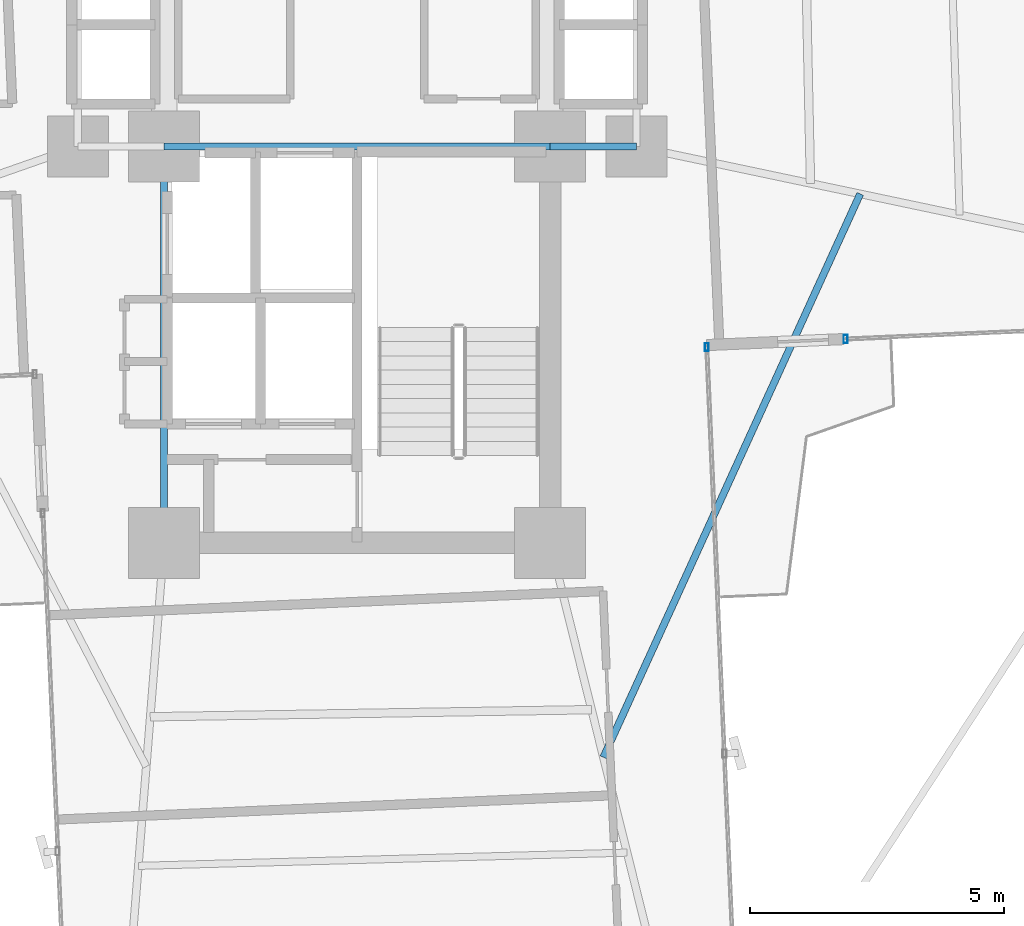
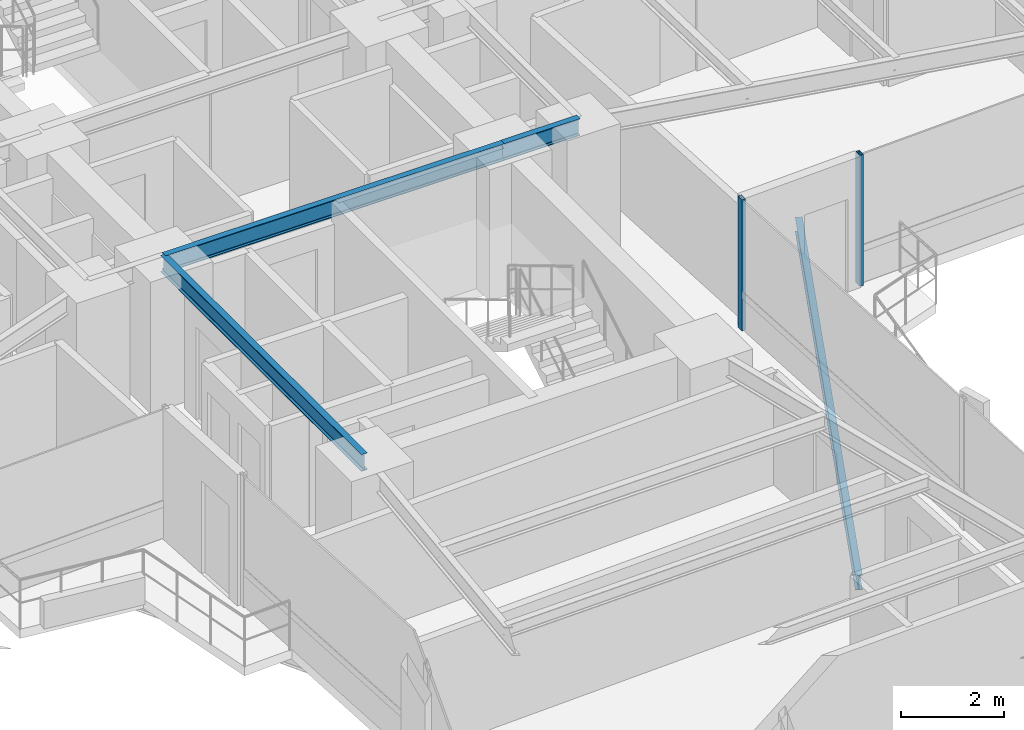
# One storey, part 11 of 27: 4 beams, 2 members, 2 elements without a shape of their own.
"""IFC4 building model written with IfcOpenShell, lengths in metres."""

from ifc_helpers import new_model, si_unit, direction, frame, origin, origin_2d, place, context, subcontext, project, spatial, hollow_rectangle, i_section, extrude, source, transform, mapped, material, material_profile, profile_set, type_object, element, aggregate, save


model = new_model("IFC4")

# Units and contexts
model_context = context("Model", 3, precision=1e-05, world=origin(), true_north=direction((0.0, 1.0)))
body_context = subcontext(model_context, "Body", "Model", "MODEL_VIEW")
ifc_project = project(units=[si_unit("LENGTHUNIT", "METRE"), si_unit("AREAUNIT", "SQUARE_METRE"), si_unit("VOLUMEUNIT", "CUBIC_METRE"), si_unit("PLANEANGLEUNIT", "RADIAN"), si_unit("MASSUNIT", "GRAM", prefix="KILO")], contexts=[model_context])

# Site, building, storey
site_placement = place(None, origin())
site = spatial("IfcSite", under=ifc_project, at=site_placement, CompositionType="ELEMENT")
building_placement = place(site_placement, origin())
building = spatial("IfcBuilding", under=site, at=building_placement, Name="Sahyath Konkavel Grand Hotel", CompositionType="ELEMENT")
storey_placement = place(building_placement, frame((0.0, 0.0, 90.199951171875)))
storey = spatial("IfcBuildingStorey", under=building, at=storey_placement, Name="L24", CompositionType="ELEMENT", Elevation=90.199951171875)

# Beams
ifc_material_1 = material(Name="Steel E350", Category="steel")
ifc_material_profile_1 = material_profile(ifc_material_1, i_section(OverallWidth=0.139892578125, OverallDepth=0.39990234375, WebThickness=0.0087890625, FlangeThickness=0.01611328125, FilletRadius=0.013916015625, at=origin_2d()), Name="ISMB 400")
ifc_profile_set_1 = profile_set([ifc_material_profile_1], Name="Steel E350")
beam_type_1 = type_object("IfcBeamType", Name="BM-ISMB400", PredefinedType="BEAM", material=ifc_profile_set_1)
shared_shape_1 = source(origin(), body_context, "Body", "SweptSolid", [
    extrude(i_section(OverallWidth=0.139892578125, OverallDepth=0.39990234375, WebThickness=0.0087890625, FlangeThickness=0.01611328125, FilletRadius=0.013916015625, at=origin_2d()), origin(), (0.0, 0.0, 1.0), 7.60009765625),
])
beam_1_placement = place(storey_placement, frame((-3.800048828125, -2.39990234375, 2.91015625), z_axis=(1.0, 0.0, 0.0), x_axis=(0.0, 1.0, 0.0)))
element("IfcBeam", 1, at=beam_1_placement, inside=storey, type_object=beam_type_1, Name="str:bm:L24:SC-N", PredefinedType="BEAM", context=body_context, shape_type="MappedRepresentation", body=[
    mapped(shared_shape_1, transform((0.0, 0.0, 0.0), scale=1.0)),
])
shared_shape_2 = source(origin(), body_context, "Body", "SweptSolid", [
    extrude(i_section(OverallWidth=0.139892578125, OverallDepth=0.39990234375, WebThickness=0.0087890625, FlangeThickness=0.01611328125, FilletRadius=0.013916015625, at=origin_2d()), origin(), (0.0, 0.0, 1.0), 7.800048828125),
])
beam_2_placement = place(storey_placement, frame((-3.800048828125, -10.199951171875, 2.91015625), z_axis=(0.0, 1.0, 0.0), x_axis=(-1.0, 0.0, 0.0)))
element("IfcBeam", 2, at=beam_2_placement, inside=storey, type_object=beam_type_1, Name="str:bm:L24:SC-W", PredefinedType="BEAM", context=body_context, shape_type="MappedRepresentation", body=[
    mapped(shared_shape_2, transform((0.0, 0.0, 0.0), scale=1.0)),
])
shared_shape_3 = source(origin(), body_context, "Body", "SweptSolid", [
    extrude(i_section(OverallWidth=0.139892578125, OverallDepth=0.39990234375, WebThickness=0.0087890625, FlangeThickness=0.01611328125, FilletRadius=0.013916015625, at=origin_2d()), origin(), (0.0, 0.0, 1.0), 1.699951171875),
])
beam_3_placement = place(storey_placement, frame((3.800048828125, -2.39990234375, 2.91015625), z_axis=(1.0, 0.0, 0.0), x_axis=(0.0, 1.0, 0.0)))
element("IfcBeam", 3, at=beam_3_placement, inside=storey, type_object=beam_type_1, Name="str:bm:L24:HB-SE", PredefinedType="BEAM", context=body_context, shape_type="MappedRepresentation", body=[
    mapped(shared_shape_3, transform((0.0, 0.0, 0.0), scale=1.0)),
])

# Curtain wall, member
ifc_material_2 = material(Name="Anodised Bronze Aluminium & Low-E Glazing", Category="aluminium")
curtain_wall_type = type_object("IfcCurtainWallType", Name="CW-ZONE2", PredefinedType="NOTDEFINED", material=ifc_material_2)
curtain_wall_1_placement = place(storey_placement, origin())
curtain_wall_1 = element("IfcCurtainWall", 4, at=curtain_wall_1_placement, inside=storey, type_object=curtain_wall_type, Name="L24 Unitised Curtain Wall F0", PredefinedType="NOTDEFINED")
ifc_material_3 = material(Name="Anodised Bronze Aluminium", Category="aluminium")
ifc_material_profile_2 = material_profile(ifc_material_3, hollow_rectangle(XDim=0.080078125, YDim=0.159912109375, WallThickness=0.006103515625, at=origin_2d()), Name="RHS 160x80x6")
ifc_profile_set_2 = profile_set([ifc_material_profile_2], Name="Anodised Bronze Aluminium")
member_type = type_object("IfcMemberType", Name="CW-MUL-160", PredefinedType="MULLION", material=ifc_profile_set_2)
shared_shape_4 = source(origin(), body_context, "Body", "SweptSolid", [
    extrude(hollow_rectangle(XDim=0.080078125, YDim=0.159912109375, WallThickness=0.006103515625, at=origin_2d()), origin(), (0.0, 0.0, 1.0), 3.110107421875),
])
member_1_placement = place(storey_placement, frame((9.618896484375, -6.186279296875, 0.0), z_axis=(0.0, 0.0, 1.0), x_axis=(1.0, 0.0, 0.0)))
member_1 = element("IfcMember", 5, at=member_1_placement, type_object=member_type, Name="L24 Curtain Wall Mullion F0-0", PredefinedType="MULLION", context=body_context, shape_type="MappedRepresentation", body=[
    mapped(shared_shape_4, transform((0.0, 0.0, 0.0), scale=1.0)),
])
aggregate(curtain_wall_1, [member_1])

curtain_wall_2_placement = place(storey_placement, origin())
curtain_wall_2 = element("IfcCurtainWall", 6, at=curtain_wall_2_placement, inside=storey, type_object=curtain_wall_type, Name="L24 Unitised Curtain Wall F31", PredefinedType="NOTDEFINED")
member_2_placement = place(storey_placement, frame((6.88330078125, -6.345703125, 0.0), z_axis=(0.0, 0.0, 1.0), x_axis=(1.0, 0.0, 0.0)))
member_2 = element("IfcMember", 7, at=member_2_placement, type_object=member_type, Name="L24 Curtain Wall Mullion F31-2", PredefinedType="MULLION", context=body_context, shape_type="MappedRepresentation", body=[
    mapped(shared_shape_4, transform((0.0, 0.0, 0.0), scale=1.0)),
])
aggregate(curtain_wall_2, [member_2])

# Beam
ifc_material_profile_3 = material_profile(ifc_material_1, i_section(OverallWidth=0.139892578125, OverallDepth=0.35009765625, WebThickness=0.008056640625, FlangeThickness=0.01416015625, FilletRadius=0.013916015625, at=origin_2d()), Name="ISMB 350")
ifc_profile_set_3 = profile_set([ifc_material_profile_3], Name="Steel E350")
beam_type_2 = type_object("IfcBeamType", Name="BM-BALC-CANT", PredefinedType="BEAM", material=ifc_profile_set_3)
shared_shape_5 = source(origin(), body_context, "Body", "SweptSolid", [
    extrude(i_section(OverallWidth=0.139892578125, OverallDepth=0.35009765625, WebThickness=0.008056640625, FlangeThickness=0.01416015625, FilletRadius=0.013916015625, at=origin_2d()), origin(), (0.0, 0.0, 1.0), 12.190673828125),
])
beam_4_placement = place(storey_placement, frame((4.8486328125, -14.422119140625, -0.4150390625), z_axis=(0.414712580086, 0.909952458054, 0.0), x_axis=(-0.909952458054, 0.414712580086, 0.0)))
element("IfcBeam", 8, at=beam_4_placement, inside=storey, type_object=beam_type_2, Name="L24 Balcony Cantilever Support Beam SE", PredefinedType="BEAM", context=body_context, shape_type="MappedRepresentation", body=[
    mapped(shared_shape_5, transform((0.0, 0.0, 0.0), scale=1.0)),
])

save(model, "model.ifc")
